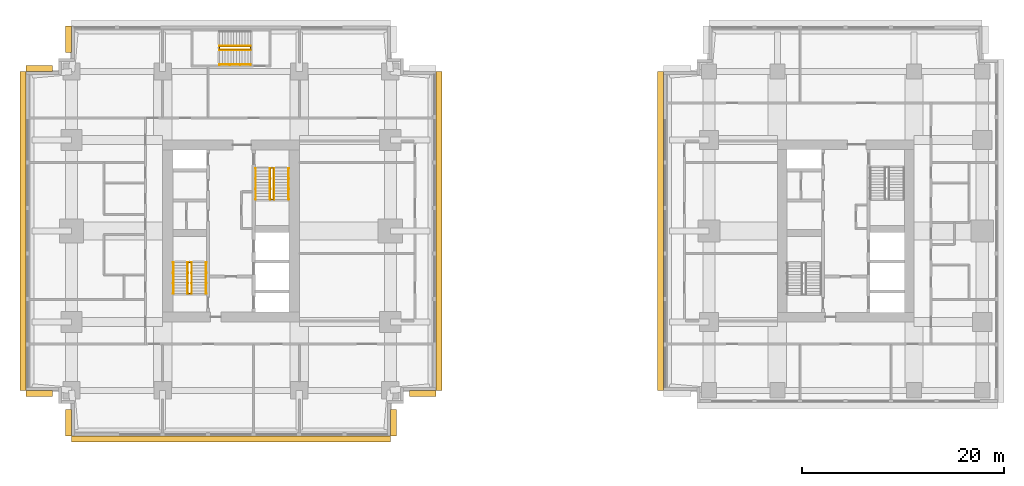
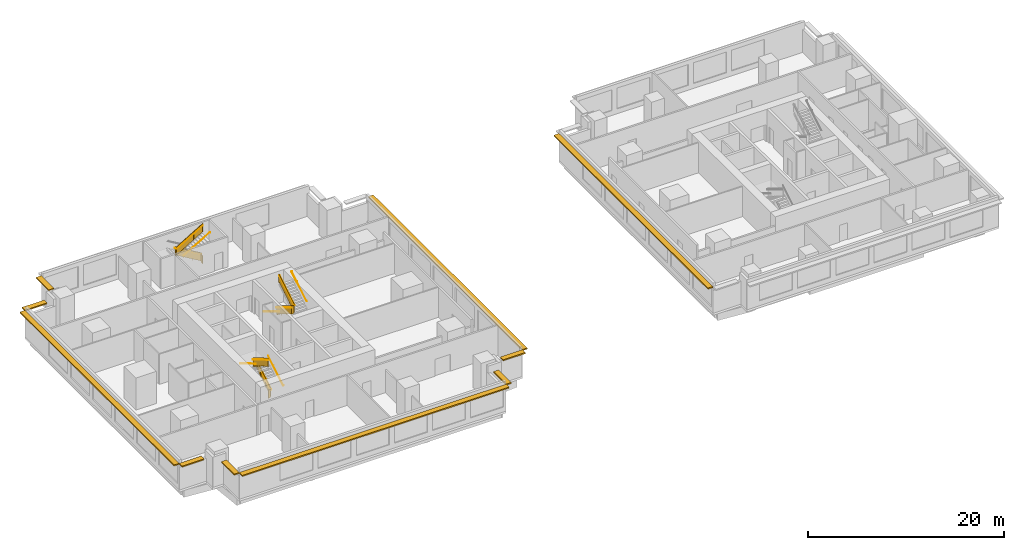
# One storey, part 9 of 10: 14 railings, 10 shading devices.
"""IFC4 building model written with IfcOpenShell, lengths in metres."""

from ifc_helpers import new_model, si_unit, direction, frame, origin, origin_2d, place, context, subcontext, project, spatial, polyline, rectangle, circle, outline, extrude, material, layer, layer_set, type_object, element, save


model = new_model("IFC4")

# Units and contexts
model_context = context("Model", 3, precision=1e-05, world=origin(), true_north=direction((0.0, 1.0)))
body_context = subcontext(model_context, "Body", "Model", "MODEL_VIEW")
ifc_project = project(units=[si_unit("LENGTHUNIT", "METRE"), si_unit("AREAUNIT", "SQUARE_METRE"), si_unit("VOLUMEUNIT", "CUBIC_METRE"), si_unit("PLANEANGLEUNIT", "RADIAN"), si_unit("MASSUNIT", "GRAM", prefix="KILO")], contexts=[model_context])

# Site, building, storey
site_placement = place(None, origin())
site = spatial("IfcSite", under=ifc_project, at=site_placement, CompositionType="ELEMENT")
building_placement = place(site_placement, origin())
building = spatial("IfcBuilding", under=site, at=building_placement, Name="Namib Vertical Campus", CompositionType="ELEMENT")
storey_placement = place(building_placement, frame((0.0, 0.0, 145.0)))
storey = spatial("IfcBuildingStorey", under=building, at=storey_placement, Name="L34", CompositionType="ELEMENT", Elevation=145.0)

# Railings
ifc_material_1 = material(Name="Steel handrail", Category="steel")
railing_type_1 = type_object("IfcRailingType", Name="Handrail 900", PredefinedType="HANDRAIL", material=ifc_material_1)
railing_1_placement = place(storey_placement, frame((17.800048828125, 14.050048828125, 0.166748046875)))
element("IfcRailing", 1, at=railing_1_placement, inside=storey, type_object=railing_type_1, Name="Handrail HR1 A-S1 L34 1", PredefinedType="HANDRAIL", context=body_context, shape_type="SweptSolid", body=[
    extrude(circle(Radius=0.02392578125, at=origin_2d()), frame((0.0, 0.0, 0.8759765625), z_axis=(0.0, 0.859290745958, 0.51148745235), x_axis=(-1.0, 0.0, 0.0)), (0.0, 0.0, 1.0), 3.584228515625),
    extrude(circle(Radius=0.008056640625, at=origin_2d()), frame((0.0, 0.0, 0.8759765625), z_axis=(1.0, 0.0, 0.0), x_axis=(0.0, 0.0, 1.0)), (0.0, 0.0, 1.0), 0.050048828125),
    extrude(circle(Radius=0.008056640625, at=origin_2d()), frame((0.0, 1.026611328125, 1.48681640625), z_axis=(1.0, 0.0, 0.0), x_axis=(0.0, 0.0, 1.0)), (0.0, 0.0, 1.0), 0.050048828125),
    extrude(circle(Radius=0.008056640625, at=origin_2d()), frame((0.0, 2.05322265625, 2.09814453125), z_axis=(1.0, 0.0, 0.0), x_axis=(0.0, 0.0, 1.0)), (0.0, 0.0, 1.0), 0.050048828125),
    extrude(circle(Radius=0.008056640625, at=origin_2d()), frame((0.0, 3.079833984375, 2.708984375), z_axis=(1.0, 0.0, 0.0), x_axis=(0.0, 0.0, 1.0)), (0.0, 0.0, 1.0), 0.050048828125),
])
railing_2_placement = place(storey_placement, frame((14.550048828125, 17.1298828125, 2.166748046875)))
element("IfcRailing", 2, at=railing_2_placement, inside=storey, type_object=railing_type_1, Name="Handrail HR1 A-S1 L34 2", PredefinedType="HANDRAIL", context=body_context, shape_type="SweptSolid", body=[
    extrude(circle(Radius=0.02392578125, at=origin_2d()), frame((0.0, 0.0, 0.8759765625), z_axis=(0.0, -0.859290745958, 0.51148745235), x_axis=(1.0, 0.0, 0.0)), (0.0, 0.0, 1.0), 3.584228515625),
    extrude(circle(Radius=0.008056640625, at=origin_2d()), frame((0.0, 0.0, 0.8759765625), z_axis=(-1.0, 0.0, 0.0), x_axis=(0.0, 0.0, 1.0)), (0.0, 0.0, 1.0), 0.050048828125),
    extrude(circle(Radius=0.008056640625, at=origin_2d()), frame((0.0, -1.026611328125, 1.48681640625), z_axis=(-1.0, 0.0, 0.0), x_axis=(0.0, 0.0, 1.0)), (0.0, 0.0, 1.0), 0.050048828125),
    extrude(circle(Radius=0.008056640625, at=origin_2d()), frame((0.0, -2.05322265625, 2.09814453125), z_axis=(-1.0, 0.0, 0.0), x_axis=(0.0, 0.0, 1.0)), (0.0, 0.0, 1.0), 0.050048828125),
    extrude(circle(Radius=0.008056640625, at=origin_2d()), frame((0.0, -3.079833984375, 2.708984375), z_axis=(-1.0, 0.0, 0.0), x_axis=(0.0, 0.0, 1.0)), (0.0, 0.0, 1.0), 0.050048828125),
])
railing_3_placement = place(storey_placement, frame((16.375, 14.050048828125, 0.166748046875)))
element("IfcRailing", 3, at=railing_3_placement, inside=storey, type_object=railing_type_1, Name="Handrail HR1 A-S1 L34 1 at the well", PredefinedType="HANDRAIL", context=body_context, shape_type="SweptSolid", body=[
    extrude(circle(Radius=0.02392578125, at=origin_2d()), frame((0.0, 0.0, 0.8759765625), z_axis=(0.0, 0.859290745958, 0.51148745235), x_axis=(-1.0, 0.0, 0.0)), (0.0, 0.0, 1.0), 3.584228515625),
    extrude(circle(Radius=0.008056640625, at=origin_2d()), frame((0.0, 0.0, 0.8759765625), z_axis=(-1.0, 0.0, 0.0), x_axis=(0.0, 0.0, 1.0)), (0.0, 0.0, 1.0), 0.0400390625),
    extrude(circle(Radius=0.008056640625, at=origin_2d()), frame((0.0, 1.026611328125, 1.48681640625), z_axis=(-1.0, 0.0, 0.0), x_axis=(0.0, 0.0, 1.0)), (0.0, 0.0, 1.0), 0.0400390625),
    extrude(circle(Radius=0.008056640625, at=origin_2d()), frame((0.0, 2.05322265625, 2.09814453125), z_axis=(-1.0, 0.0, 0.0), x_axis=(0.0, 0.0, 1.0)), (0.0, 0.0, 1.0), 0.0400390625),
    extrude(circle(Radius=0.008056640625, at=origin_2d()), frame((0.0, 3.079833984375, 2.708984375), z_axis=(-1.0, 0.0, 0.0), x_axis=(0.0, 0.0, 1.0)), (0.0, 0.0, 1.0), 0.0400390625),
])
railing_4_placement = place(storey_placement, frame((15.97509765625, 17.1298828125, 2.166748046875)))
element("IfcRailing", 4, at=railing_4_placement, inside=storey, type_object=railing_type_1, Name="Handrail HR1 A-S1 L34 2 at the well", PredefinedType="HANDRAIL", context=body_context, shape_type="SweptSolid", body=[
    extrude(circle(Radius=0.02392578125, at=origin_2d()), frame((0.0, 0.0, 0.8759765625), z_axis=(0.0, -0.859290745958, 0.51148745235), x_axis=(1.0, 0.0, 0.0)), (0.0, 0.0, 1.0), 3.584228515625),
    extrude(circle(Radius=0.008056640625, at=origin_2d()), frame((0.0, 0.0, 0.8759765625), z_axis=(1.0, 0.0, 0.0), x_axis=(0.0, 0.0, 1.0)), (0.0, 0.0, 1.0), 0.0400390625),
    extrude(circle(Radius=0.008056640625, at=origin_2d()), frame((0.0, -1.026611328125, 1.48681640625), z_axis=(1.0, 0.0, 0.0), x_axis=(0.0, 0.0, 1.0)), (0.0, 0.0, 1.0), 0.0400390625),
    extrude(circle(Radius=0.008056640625, at=origin_2d()), frame((0.0, -2.05322265625, 2.09814453125), z_axis=(1.0, 0.0, 0.0), x_axis=(0.0, 0.0, 1.0)), (0.0, 0.0, 1.0), 0.0400390625),
    extrude(circle(Radius=0.008056640625, at=origin_2d()), frame((0.0, -3.079833984375, 2.708984375), z_axis=(1.0, 0.0, 0.0), x_axis=(0.0, 0.0, 1.0)), (0.0, 0.0, 1.0), 0.0400390625),
])
railing_5_placement = place(storey_placement, frame((22.699951171875, 26.449951171875, 0.166748046875)))
element("IfcRailing", 5, at=railing_5_placement, inside=storey, type_object=railing_type_1, Name="Handrail HR1 A-S2 L34 1", PredefinedType="HANDRAIL", context=body_context, shape_type="SweptSolid", body=[
    extrude(circle(Radius=0.02392578125, at=origin_2d()), frame((0.0, 0.0, 0.8759765625), z_axis=(0.0, -0.859290745958, 0.51148745235), x_axis=(1.0, 0.0, 0.0)), (0.0, 0.0, 1.0), 3.584228515625),
    extrude(circle(Radius=0.008056640625, at=origin_2d()), frame((0.0, 0.0, 0.8759765625), z_axis=(-1.0, 0.0, 0.0), x_axis=(0.0, 0.0, 1.0)), (0.0, 0.0, 1.0), 0.050048828125),
    extrude(circle(Radius=0.008056640625, at=origin_2d()), frame((0.0, -1.026611328125, 1.48681640625), z_axis=(-1.0, 0.0, 0.0), x_axis=(0.0, 0.0, 1.0)), (0.0, 0.0, 1.0), 0.050048828125),
    extrude(circle(Radius=0.008056640625, at=origin_2d()), frame((0.0, -2.05322265625, 2.09814453125), z_axis=(-1.0, 0.0, 0.0), x_axis=(0.0, 0.0, 1.0)), (0.0, 0.0, 1.0), 0.050048828125),
    extrude(circle(Radius=0.008056640625, at=origin_2d()), frame((0.0, -3.079833984375, 2.708984375), z_axis=(-1.0, 0.0, 0.0), x_axis=(0.0, 0.0, 1.0)), (0.0, 0.0, 1.0), 0.050048828125),
])
railing_6_placement = place(storey_placement, frame((25.949951171875, 23.3701171875, 2.166748046875)))
element("IfcRailing", 6, at=railing_6_placement, inside=storey, type_object=railing_type_1, Name="Handrail HR1 A-S2 L34 2", PredefinedType="HANDRAIL", context=body_context, shape_type="SweptSolid", body=[
    extrude(circle(Radius=0.02392578125, at=origin_2d()), frame((0.0, 0.0, 0.8759765625), z_axis=(0.0, 0.859290745958, 0.51148745235), x_axis=(-1.0, 0.0, 0.0)), (0.0, 0.0, 1.0), 3.584228515625),
    extrude(circle(Radius=0.008056640625, at=origin_2d()), frame((0.0, 0.0, 0.8759765625), z_axis=(1.0, 0.0, 0.0), x_axis=(0.0, 0.0, 1.0)), (0.0, 0.0, 1.0), 0.050048828125),
    extrude(circle(Radius=0.008056640625, at=origin_2d()), frame((0.0, 1.026611328125, 1.48681640625), z_axis=(1.0, 0.0, 0.0), x_axis=(0.0, 0.0, 1.0)), (0.0, 0.0, 1.0), 0.050048828125),
    extrude(circle(Radius=0.008056640625, at=origin_2d()), frame((0.0, 2.05322265625, 2.09814453125), z_axis=(1.0, 0.0, 0.0), x_axis=(0.0, 0.0, 1.0)), (0.0, 0.0, 1.0), 0.050048828125),
    extrude(circle(Radius=0.008056640625, at=origin_2d()), frame((0.0, 3.079833984375, 2.708984375), z_axis=(1.0, 0.0, 0.0), x_axis=(0.0, 0.0, 1.0)), (0.0, 0.0, 1.0), 0.050048828125),
])
railing_7_placement = place(storey_placement, frame((24.125, 26.449951171875, 0.166748046875)))
element("IfcRailing", 7, at=railing_7_placement, inside=storey, type_object=railing_type_1, Name="Handrail HR1 A-S2 L34 1 at the well", PredefinedType="HANDRAIL", context=body_context, shape_type="SweptSolid", body=[
    extrude(circle(Radius=0.02392578125, at=origin_2d()), frame((0.0, 0.0, 0.8759765625), z_axis=(0.0, -0.859290745958, 0.51148745235), x_axis=(1.0, 0.0, 0.0)), (0.0, 0.0, 1.0), 3.584228515625),
    extrude(circle(Radius=0.008056640625, at=origin_2d()), frame((0.0, 0.0, 0.8759765625), z_axis=(1.0, 0.0, 0.0), x_axis=(0.0, 0.0, 1.0)), (0.0, 0.0, 1.0), 0.0400390625),
    extrude(circle(Radius=0.008056640625, at=origin_2d()), frame((0.0, -1.026611328125, 1.48681640625), z_axis=(1.0, 0.0, 0.0), x_axis=(0.0, 0.0, 1.0)), (0.0, 0.0, 1.0), 0.0400390625),
    extrude(circle(Radius=0.008056640625, at=origin_2d()), frame((0.0, -2.05322265625, 2.09814453125), z_axis=(1.0, 0.0, 0.0), x_axis=(0.0, 0.0, 1.0)), (0.0, 0.0, 1.0), 0.0400390625),
    extrude(circle(Radius=0.008056640625, at=origin_2d()), frame((0.0, -3.079833984375, 2.708984375), z_axis=(1.0, 0.0, 0.0), x_axis=(0.0, 0.0, 1.0)), (0.0, 0.0, 1.0), 0.0400390625),
])
railing_8_placement = place(storey_placement, frame((24.52490234375, 23.3701171875, 2.166748046875)))
element("IfcRailing", 8, at=railing_8_placement, inside=storey, type_object=railing_type_1, Name="Handrail HR1 A-S2 L34 2 at the well", PredefinedType="HANDRAIL", context=body_context, shape_type="SweptSolid", body=[
    extrude(circle(Radius=0.02392578125, at=origin_2d()), frame((0.0, 0.0, 0.8759765625), z_axis=(0.0, 0.859290745958, 0.51148745235), x_axis=(-1.0, 0.0, 0.0)), (0.0, 0.0, 1.0), 3.584228515625),
    extrude(circle(Radius=0.008056640625, at=origin_2d()), frame((0.0, 0.0, 0.8759765625), z_axis=(-1.0, 0.0, 0.0), x_axis=(0.0, 0.0, 1.0)), (0.0, 0.0, 1.0), 0.0400390625),
    extrude(circle(Radius=0.008056640625, at=origin_2d()), frame((0.0, 1.026611328125, 1.48681640625), z_axis=(-1.0, 0.0, 0.0), x_axis=(0.0, 0.0, 1.0)), (0.0, 0.0, 1.0), 0.0400390625),
    extrude(circle(Radius=0.008056640625, at=origin_2d()), frame((0.0, 2.05322265625, 2.09814453125), z_axis=(-1.0, 0.0, 0.0), x_axis=(0.0, 0.0, 1.0)), (0.0, 0.0, 1.0), 0.0400390625),
    extrude(circle(Radius=0.008056640625, at=origin_2d()), frame((0.0, 3.079833984375, 2.708984375), z_axis=(-1.0, 0.0, 0.0), x_axis=(0.0, 0.0, 1.0)), (0.0, 0.0, 1.0), 0.0400390625),
])
railing_9_placement = place(storey_placement, frame((19.1201171875, 36.699951171875, 2.166748046875)))
element("IfcRailing", 9, at=railing_9_placement, inside=storey, type_object=railing_type_1, Name="Handrail HR1 A-S3 L34 2", PredefinedType="HANDRAIL", context=body_context, shape_type="SweptSolid", body=[
    extrude(circle(Radius=0.02392578125, at=origin_2d()), frame((0.0, 0.0, 0.8759765625), z_axis=(0.859290745958, 0.0, 0.51148745235), x_axis=(0.0, 1.0, 0.0)), (0.0, 0.0, 1.0), 3.584228515625),
    extrude(circle(Radius=0.008056640625, at=origin_2d()), frame((0.0, 0.0, 0.8759765625), z_axis=(0.0, -1.0, 0.0), x_axis=(0.0, 0.0, 1.0)), (0.0, 0.0, 1.0), 0.050048828125),
    extrude(circle(Radius=0.008056640625, at=origin_2d()), frame((1.026611328125, 0.0, 1.48681640625), z_axis=(0.0, -1.0, 0.0), x_axis=(0.0, 0.0, 1.0)), (0.0, 0.0, 1.0), 0.050048828125),
    extrude(circle(Radius=0.008056640625, at=origin_2d()), frame((2.05322265625, 0.0, 2.09814453125), z_axis=(0.0, -1.0, 0.0), x_axis=(0.0, 0.0, 1.0)), (0.0, 0.0, 1.0), 0.050048828125),
    extrude(circle(Radius=0.008056640625, at=origin_2d()), frame((3.079833984375, 0.0, 2.708984375), z_axis=(0.0, -1.0, 0.0), x_axis=(0.0, 0.0, 1.0)), (0.0, 0.0, 1.0), 0.050048828125),
])
railing_10_placement = place(storey_placement, frame((22.199951171875, 38.52490234375, 0.166748046875)))
element("IfcRailing", 10, at=railing_10_placement, inside=storey, type_object=railing_type_1, Name="Handrail HR1 A-S3 L34 1 at the well", PredefinedType="HANDRAIL", context=body_context, shape_type="SweptSolid", body=[
    extrude(circle(Radius=0.02392578125, at=origin_2d()), frame((0.0, 0.0, 0.8759765625), z_axis=(-0.859290745958, 0.0, 0.51148745235), x_axis=(0.0, -1.0, 0.0)), (0.0, 0.0, 1.0), 3.584228515625),
    extrude(circle(Radius=0.008056640625, at=origin_2d()), frame((0.0, 0.0, 0.8759765625), z_axis=(0.0, -1.0, 0.0), x_axis=(0.0, 0.0, 1.0)), (0.0, 0.0, 1.0), 0.0400390625),
    extrude(circle(Radius=0.008056640625, at=origin_2d()), frame((-1.026611328125, 0.0, 1.48681640625), z_axis=(0.0, -1.0, 0.0), x_axis=(0.0, 0.0, 1.0)), (0.0, 0.0, 1.0), 0.0400390625),
    extrude(circle(Radius=0.008056640625, at=origin_2d()), frame((-2.05322265625, 0.0, 2.09814453125), z_axis=(0.0, -1.0, 0.0), x_axis=(0.0, 0.0, 1.0)), (0.0, 0.0, 1.0), 0.0400390625),
    extrude(circle(Radius=0.008056640625, at=origin_2d()), frame((-3.079833984375, 0.0, 2.708984375), z_axis=(0.0, -1.0, 0.0), x_axis=(0.0, 0.0, 1.0)), (0.0, 0.0, 1.0), 0.0400390625),
])
railing_11_placement = place(storey_placement, frame((19.1201171875, 38.125, 2.166748046875)))
element("IfcRailing", 11, at=railing_11_placement, inside=storey, type_object=railing_type_1, Name="Handrail HR1 A-S3 L34 2 at the well", PredefinedType="HANDRAIL", context=body_context, shape_type="SweptSolid", body=[
    extrude(circle(Radius=0.02392578125, at=origin_2d()), frame((0.0, 0.0, 0.8759765625), z_axis=(0.859290745958, 0.0, 0.51148745235), x_axis=(0.0, 1.0, 0.0)), (0.0, 0.0, 1.0), 3.584228515625),
    extrude(circle(Radius=0.008056640625, at=origin_2d()), frame((0.0, 0.0, 0.8759765625), z_axis=(0.0, 1.0, 0.0), x_axis=(0.0, 0.0, 1.0)), (0.0, 0.0, 1.0), 0.0400390625),
    extrude(circle(Radius=0.008056640625, at=origin_2d()), frame((1.026611328125, 0.0, 1.48681640625), z_axis=(0.0, 1.0, 0.0), x_axis=(0.0, 0.0, 1.0)), (0.0, 0.0, 1.0), 0.0400390625),
    extrude(circle(Radius=0.008056640625, at=origin_2d()), frame((2.05322265625, 0.0, 2.09814453125), z_axis=(0.0, 1.0, 0.0), x_axis=(0.0, 0.0, 1.0)), (0.0, 0.0, 1.0), 0.0400390625),
    extrude(circle(Radius=0.008056640625, at=origin_2d()), frame((3.079833984375, 0.0, 2.708984375), z_axis=(0.0, 1.0, 0.0), x_axis=(0.0, 0.0, 1.0)), (0.0, 0.0, 1.0), 0.0400390625),
])
ifc_material_2 = material(Name="Steel balustrade", Category="steel")
railing_type_2 = type_object("IfcRailingType", Name="Stair guard 1100", PredefinedType="GUARDRAIL", material=ifc_material_2)
railing_12_placement = place(storey_placement, frame((16.02490234375, 14.050048828125, 0.0)))
element("IfcRailing", 12, at=railing_12_placement, inside=storey, type_object=railing_type_2, Name="Stair guard GR1 A-S1 L34", PredefinedType="GUARDRAIL", context=body_context, shape_type="SweptSolid", body=[
    extrude(circle(Radius=0.02392578125, at=origin_2d()), frame((0.0, 0.0, 1.076171875), z_axis=(1.0, 0.0, 0.0), x_axis=(0.0, 1.0, 0.0)), (0.0, 0.0, 1.0), 0.300048828125),
    extrude(outline(polyline([(0.02099609375, 0.050048828125), (0.279052734375, 0.050048828125), (0.279052734375, 1.052001953125), (0.02099609375, 1.052001953125), (0.02099609375, 0.050048828125)])), frame((0.0, 0.010009765625, 0.0), z_axis=(0.0, -1.0, 0.0), x_axis=(1.0, 0.0, 0.0)), (0.0, 0.0, 1.0), 0.02001953125),
    extrude(circle(Radius=0.02392578125, at=origin_2d()), frame((0.300048828125, 0.0, 1.076171875), z_axis=(0.0, 0.0, 1.0), x_axis=(1.0, 0.0, 0.0)), (0.0, 0.0, 1.0), 0.166748046875),
    extrude(circle(Radius=0.02392578125, at=origin_2d()), frame((0.300048828125, 0.0, 1.24267578125), z_axis=(0.0, 0.859290745958, 0.51148745235), x_axis=(-1.0, 0.0, 0.0)), (0.0, 0.0, 1.0), 3.584228515625),
    extrude(outline(polyline([(0.02099609375, 0.0625), (3.058837890625, 1.870849609375), (3.058837890625, 2.872802734375), (0.02099609375, 1.064453125), (0.02099609375, 0.0625)])), frame((0.2900390625, 0.0, 0.166748046875), z_axis=(1.0, 0.0, 0.0), x_axis=(0.0, 1.0, 0.0)), (0.0, 0.0, 1.0), 0.02001953125),
    extrude(circle(Radius=0.02392578125, at=origin_2d()), frame((0.300048828125, 3.079833984375, 3.076171875), z_axis=(-1.0, 0.0, 0.0), x_axis=(0.0, -1.0, 0.0)), (0.0, 0.0, 1.0), 0.300048828125),
    extrude(outline(polyline([(0.02099609375, 0.050048828125), (0.279052734375, 0.050048828125), (0.279052734375, 1.052001953125), (0.02099609375, 1.052001953125), (0.02099609375, 0.050048828125)])), frame((0.300048828125, 3.06982421875, 2.0), z_axis=(0.0, 1.0, 0.0), x_axis=(-1.0, 0.0, 0.0)), (0.0, 0.0, 1.0), 0.02001953125),
    extrude(circle(Radius=0.02392578125, at=origin_2d()), frame((0.0, 3.079833984375, 3.076171875), z_axis=(0.0, 0.0, 1.0), x_axis=(1.0, 0.0, 0.0)), (0.0, 0.0, 1.0), 0.166748046875),
    extrude(circle(Radius=0.02392578125, at=origin_2d()), frame((0.0, 3.079833984375, 3.24267578125), z_axis=(0.0, -0.859290745958, 0.51148745235), x_axis=(1.0, 0.0, 0.0)), (0.0, 0.0, 1.0), 3.584228515625),
    extrude(outline(polyline([(0.02099609375, 0.0625), (3.058837890625, 1.870849609375), (3.058837890625, 2.872802734375), (0.02099609375, 1.064453125), (0.02099609375, 0.0625)])), frame((0.010009765625, 3.079833984375, 2.166748046875), z_axis=(-1.0, 0.0, 0.0), x_axis=(0.0, -1.0, 0.0)), (0.0, 0.0, 1.0), 0.02001953125),
    extrude(circle(Radius=0.02392578125, at=origin_2d()), frame((0.0, 0.0, 5.076171875), z_axis=(0.0, -1.0, 0.0), x_axis=(1.0, 0.0, 0.0)), (0.0, 0.0, 1.0), 0.050048828125),
    extrude(outline(polyline([(0.02099609375, 0.050048828125), (0.029052734375, 0.050048828125), (0.029052734375, 1.052001953125), (0.02099609375, 1.052001953125), (0.02099609375, 0.050048828125)])), frame((0.010009765625, 0.0, 4.0), z_axis=(-1.0, 0.0, 0.0), x_axis=(0.0, -1.0, 0.0)), (0.0, 0.0, 1.0), 0.02001953125),
    extrude(circle(Radius=0.02099609375, at=origin_2d()), origin(), (0.0, 0.0, 1.0), 1.052001953125),
    extrude(circle(Radius=0.02099609375, at=origin_2d()), frame((0.300048828125, 0.0, 0.166748046875)), (0.0, 0.0, 1.0), 1.052001953125),
    extrude(circle(Radius=0.02099609375, at=origin_2d()), frame((0.300048828125, 1.026611328125, 0.666748046875)), (0.0, 0.0, 1.0), 1.1630859375),
    extrude(circle(Radius=0.02099609375, at=origin_2d()), frame((0.300048828125, 2.05322265625, 1.33349609375)), (0.0, 0.0, 1.0), 1.107421875),
    extrude(circle(Radius=0.02099609375, at=origin_2d()), frame((0.300048828125, 3.079833984375, 2.0)), (0.0, 0.0, 1.0), 1.052001953125),
    extrude(circle(Radius=0.02099609375, at=origin_2d()), frame((0.0, 3.079833984375, 2.166748046875)), (0.0, 0.0, 1.0), 1.052001953125),
    extrude(circle(Radius=0.02099609375, at=origin_2d()), frame((0.0, 2.05322265625, 2.666748046875)), (0.0, 0.0, 1.0), 1.1630859375),
    extrude(circle(Radius=0.02099609375, at=origin_2d()), frame((0.0, 1.026611328125, 3.33349609375)), (0.0, 0.0, 1.0), 1.107421875),
    extrude(circle(Radius=0.02099609375, at=origin_2d()), frame((0.0, 0.0, 4.0)), (0.0, 0.0, 1.0), 1.052001953125),
    extrude(circle(Radius=0.02099609375, at=origin_2d()), frame((0.0, -0.050048828125, 4.0)), (0.0, 0.0, 1.0), 1.052001953125),
])
railing_13_placement = place(storey_placement, frame((24.47509765625, 26.449951171875, 0.0)))
element("IfcRailing", 13, at=railing_13_placement, inside=storey, type_object=railing_type_2, Name="Stair guard GR1 A-S2 L34", PredefinedType="GUARDRAIL", context=body_context, shape_type="SweptSolid", body=[
    extrude(circle(Radius=0.02392578125, at=origin_2d()), frame((0.0, 0.0, 1.076171875), z_axis=(-1.0, 0.0, 0.0), x_axis=(0.0, -1.0, 0.0)), (0.0, 0.0, 1.0), 0.300048828125),
    extrude(outline(polyline([(0.02099609375, 0.050048828125), (0.279052734375, 0.050048828125), (0.279052734375, 1.052001953125), (0.02099609375, 1.052001953125), (0.02099609375, 0.050048828125)])), frame((0.0, -0.010009765625, 0.0), z_axis=(0.0, 1.0, 0.0), x_axis=(-1.0, 0.0, 0.0)), (0.0, 0.0, 1.0), 0.02001953125),
    extrude(circle(Radius=0.02392578125, at=origin_2d()), frame((-0.300048828125, 0.0, 1.076171875), z_axis=(0.0, 0.0, 1.0), x_axis=(1.0, 0.0, 0.0)), (0.0, 0.0, 1.0), 0.166748046875),
    extrude(circle(Radius=0.02392578125, at=origin_2d()), frame((-0.300048828125, 0.0, 1.24267578125), z_axis=(0.0, -0.859290745958, 0.51148745235), x_axis=(1.0, 0.0, 0.0)), (0.0, 0.0, 1.0), 3.584228515625),
    extrude(outline(polyline([(0.02099609375, 0.0625), (3.058837890625, 1.870849609375), (3.058837890625, 2.872802734375), (0.02099609375, 1.064453125), (0.02099609375, 0.0625)])), frame((-0.2900390625, 0.0, 0.166748046875), z_axis=(-1.0, 0.0, 0.0), x_axis=(0.0, -1.0, 0.0)), (0.0, 0.0, 1.0), 0.02001953125),
    extrude(circle(Radius=0.02392578125, at=origin_2d()), frame((-0.300048828125, -3.079833984375, 3.076171875), z_axis=(1.0, 0.0, 0.0), x_axis=(0.0, 1.0, 0.0)), (0.0, 0.0, 1.0), 0.300048828125),
    extrude(outline(polyline([(0.02099609375, 0.050048828125), (0.279052734375, 0.050048828125), (0.279052734375, 1.052001953125), (0.02099609375, 1.052001953125), (0.02099609375, 0.050048828125)])), frame((-0.300048828125, -3.06982421875, 2.0), z_axis=(0.0, -1.0, 0.0), x_axis=(1.0, 0.0, 0.0)), (0.0, 0.0, 1.0), 0.02001953125),
    extrude(circle(Radius=0.02392578125, at=origin_2d()), frame((0.0, -3.079833984375, 3.076171875), z_axis=(0.0, 0.0, 1.0), x_axis=(1.0, 0.0, 0.0)), (0.0, 0.0, 1.0), 0.166748046875),
    extrude(circle(Radius=0.02392578125, at=origin_2d()), frame((0.0, -3.079833984375, 3.24267578125), z_axis=(0.0, 0.859290745958, 0.51148745235), x_axis=(-1.0, 0.0, 0.0)), (0.0, 0.0, 1.0), 3.584228515625),
    extrude(outline(polyline([(0.02099609375, 0.0625), (3.058837890625, 1.870849609375), (3.058837890625, 2.872802734375), (0.02099609375, 1.064453125), (0.02099609375, 0.0625)])), frame((-0.010009765625, -3.079833984375, 2.166748046875), z_axis=(1.0, 0.0, 0.0), x_axis=(0.0, 1.0, 0.0)), (0.0, 0.0, 1.0), 0.02001953125),
    extrude(circle(Radius=0.02392578125, at=origin_2d()), frame((0.0, 0.0, 5.076171875), z_axis=(0.0, 1.0, 0.0), x_axis=(-1.0, 0.0, 0.0)), (0.0, 0.0, 1.0), 0.050048828125),
    extrude(outline(polyline([(0.02099609375, 0.050048828125), (0.029052734375, 0.050048828125), (0.029052734375, 1.052001953125), (0.02099609375, 1.052001953125), (0.02099609375, 0.050048828125)])), frame((-0.010009765625, 0.0, 4.0), z_axis=(1.0, 0.0, 0.0), x_axis=(0.0, 1.0, 0.0)), (0.0, 0.0, 1.0), 0.02001953125),
    extrude(circle(Radius=0.02099609375, at=origin_2d()), origin(), (0.0, 0.0, 1.0), 1.052001953125),
    extrude(circle(Radius=0.02099609375, at=origin_2d()), frame((-0.300048828125, 0.0, 0.166748046875)), (0.0, 0.0, 1.0), 1.052001953125),
    extrude(circle(Radius=0.02099609375, at=origin_2d()), frame((-0.300048828125, -1.026611328125, 0.666748046875)), (0.0, 0.0, 1.0), 1.1630859375),
    extrude(circle(Radius=0.02099609375, at=origin_2d()), frame((-0.300048828125, -2.05322265625, 1.33349609375)), (0.0, 0.0, 1.0), 1.107421875),
    extrude(circle(Radius=0.02099609375, at=origin_2d()), frame((-0.300048828125, -3.079833984375, 2.0)), (0.0, 0.0, 1.0), 1.052001953125),
    extrude(circle(Radius=0.02099609375, at=origin_2d()), frame((0.0, -3.079833984375, 2.166748046875)), (0.0, 0.0, 1.0), 1.052001953125),
    extrude(circle(Radius=0.02099609375, at=origin_2d()), frame((0.0, -2.05322265625, 2.666748046875)), (0.0, 0.0, 1.0), 1.1630859375),
    extrude(circle(Radius=0.02099609375, at=origin_2d()), frame((0.0, -1.026611328125, 3.33349609375)), (0.0, 0.0, 1.0), 1.107421875),
    extrude(circle(Radius=0.02099609375, at=origin_2d()), frame((0.0, 0.0, 4.0)), (0.0, 0.0, 1.0), 1.052001953125),
    extrude(circle(Radius=0.02099609375, at=origin_2d()), frame((0.0, 0.050048828125, 4.0)), (0.0, 0.0, 1.0), 1.052001953125),
])
railing_14_placement = place(storey_placement, frame((22.199951171875, 38.175048828125, 0.0)))
element("IfcRailing", 14, at=railing_14_placement, inside=storey, type_object=railing_type_2, Name="Stair guard GR1 A-S3 L34", PredefinedType="GUARDRAIL", context=body_context, shape_type="SweptSolid", body=[
    extrude(circle(Radius=0.02392578125, at=origin_2d()), frame((0.0, 0.0, 1.076171875), z_axis=(0.0, 1.0, 0.0), x_axis=(-1.0, 0.0, 0.0)), (0.0, 0.0, 1.0), 0.300048828125),
    extrude(outline(polyline([(0.02099609375, 0.050048828125), (0.279052734375, 0.050048828125), (0.279052734375, 1.052001953125), (0.02099609375, 1.052001953125), (0.02099609375, 0.050048828125)])), frame((-0.010009765625, 0.0, 0.0), z_axis=(1.0, 0.0, 0.0), x_axis=(0.0, 1.0, 0.0)), (0.0, 0.0, 1.0), 0.02001953125),
    extrude(circle(Radius=0.02392578125, at=origin_2d()), frame((0.0, 0.300048828125, 1.076171875), z_axis=(0.0, 0.0, 1.0), x_axis=(1.0, 0.0, 0.0)), (0.0, 0.0, 1.0), 0.166748046875),
    extrude(circle(Radius=0.02392578125, at=origin_2d()), frame((0.0, 0.300048828125, 1.24267578125), z_axis=(-0.859290745958, 0.0, 0.51148745235), x_axis=(0.0, -1.0, 0.0)), (0.0, 0.0, 1.0), 3.584228515625),
    extrude(outline(polyline([(0.02099609375, 0.0625), (3.058837890625, 1.870849609375), (3.058837890625, 2.872802734375), (0.02099609375, 1.064453125), (0.02099609375, 0.0625)])), frame((0.0, 0.2900390625, 0.166748046875), z_axis=(0.0, 1.0, 0.0), x_axis=(-1.0, 0.0, 0.0)), (0.0, 0.0, 1.0), 0.02001953125),
    extrude(circle(Radius=0.02392578125, at=origin_2d()), frame((-3.079833984375, 0.300048828125, 3.076171875), z_axis=(0.0, -1.0, 0.0), x_axis=(1.0, 0.0, 0.0)), (0.0, 0.0, 1.0), 0.300048828125),
    extrude(outline(polyline([(0.02099609375, 0.050048828125), (0.279052734375, 0.050048828125), (0.279052734375, 1.052001953125), (0.02099609375, 1.052001953125), (0.02099609375, 0.050048828125)])), frame((-3.06982421875, 0.300048828125, 2.0), z_axis=(-1.0, 0.0, 0.0), x_axis=(0.0, -1.0, 0.0)), (0.0, 0.0, 1.0), 0.02001953125),
    extrude(circle(Radius=0.02392578125, at=origin_2d()), frame((-3.079833984375, 0.0, 3.076171875), z_axis=(0.0, 0.0, 1.0), x_axis=(1.0, 0.0, 0.0)), (0.0, 0.0, 1.0), 0.166748046875),
    extrude(circle(Radius=0.02392578125, at=origin_2d()), frame((-3.079833984375, 0.0, 3.24267578125), z_axis=(0.859290745958, 0.0, 0.51148745235), x_axis=(0.0, 1.0, 0.0)), (0.0, 0.0, 1.0), 3.584228515625),
    extrude(outline(polyline([(0.02099609375, 0.0625), (3.058837890625, 1.870849609375), (3.058837890625, 2.872802734375), (0.02099609375, 1.064453125), (0.02099609375, 0.0625)])), frame((-3.079833984375, 0.010009765625, 2.166748046875), z_axis=(0.0, -1.0, 0.0), x_axis=(1.0, 0.0, 0.0)), (0.0, 0.0, 1.0), 0.02001953125),
    extrude(circle(Radius=0.02392578125, at=origin_2d()), frame((0.0, 0.0, 5.076171875), z_axis=(1.0, 0.0, 0.0), x_axis=(0.0, 1.0, 0.0)), (0.0, 0.0, 1.0), 0.050048828125),
    extrude(outline(polyline([(0.02099609375, 0.050048828125), (0.029052734375, 0.050048828125), (0.029052734375, 1.052001953125), (0.02099609375, 1.052001953125), (0.02099609375, 0.050048828125)])), frame((0.0, 0.010009765625, 4.0), z_axis=(0.0, -1.0, 0.0), x_axis=(1.0, 0.0, 0.0)), (0.0, 0.0, 1.0), 0.02001953125),
    extrude(circle(Radius=0.02099609375, at=origin_2d()), origin(), (0.0, 0.0, 1.0), 1.052001953125),
    extrude(circle(Radius=0.02099609375, at=origin_2d()), frame((0.0, 0.300048828125, 0.166748046875)), (0.0, 0.0, 1.0), 1.052001953125),
    extrude(circle(Radius=0.02099609375, at=origin_2d()), frame((-1.026611328125, 0.300048828125, 0.666748046875)), (0.0, 0.0, 1.0), 1.1630859375),
    extrude(circle(Radius=0.02099609375, at=origin_2d()), frame((-2.05322265625, 0.300048828125, 1.33349609375)), (0.0, 0.0, 1.0), 1.107421875),
    extrude(circle(Radius=0.02099609375, at=origin_2d()), frame((-3.079833984375, 0.300048828125, 2.0)), (0.0, 0.0, 1.0), 1.052001953125),
    extrude(circle(Radius=0.02099609375, at=origin_2d()), frame((-3.079833984375, 0.0, 2.166748046875)), (0.0, 0.0, 1.0), 1.052001953125),
    extrude(circle(Radius=0.02099609375, at=origin_2d()), frame((-2.05322265625, 0.0, 2.666748046875)), (0.0, 0.0, 1.0), 1.1630859375),
    extrude(circle(Radius=0.02099609375, at=origin_2d()), frame((-1.026611328125, 0.0, 3.33349609375)), (0.0, 0.0, 1.0), 1.107421875),
    extrude(circle(Radius=0.02099609375, at=origin_2d()), frame((0.0, 0.0, 4.0)), (0.0, 0.0, 1.0), 1.052001953125),
    extrude(circle(Radius=0.02099609375, at=origin_2d()), frame((0.050048828125, 0.0, 4.0)), (0.0, 0.0, 1.0), 1.052001953125),
])

# Shading devices
ifc_material_3 = material(Name="Concrete C40/50 precast", Category="concrete")
ifc_layer = layer(ifc_material_3, 0.14990234375)
ifc_layer_set = layer_set([ifc_layer], Name="Concrete C40/50 precast")
shading_device_type = type_object("IfcShadingDeviceType", Name="Sunshade hood 600", PredefinedType="SHUTTER", material=ifc_layer_set)
shading_device_1_placement = place(storey_placement, frame((20.25, -0.300048828125, 3.199951171875), z_axis=(0.0, 0.0, 1.0), x_axis=(1.0, 0.0, 0.0)))
element("IfcShadingDevice", 15, at=shading_device_1_placement, inside=storey, type_object=shading_device_type, Name="Sunshade SH3 L34 1", PredefinedType="SHUTTER", context=body_context, shape_type="SweptSolid", body=[
    extrude(rectangle(XDim=31.5, YDim=0.60009765625, at=origin_2d()), origin(), (0.0, 0.0, 1.0), 0.14990234375),
])
for number, where, z_axis, x_axis, name in (
    (16, (36.300048828125, 1.300048828125, 3.199951171875), (0.0, 0.0, 1.0), (0.0, 1.0, 0.0), "Sunshade SH3 L34 2"),
    (17, (39.199951171875, 4.199951171875, 3.199951171875), (0.0, 0.0, 1.0), (1.0, 0.0, 0.0), "Sunshade SH3 L34 5"),
):
    element("IfcShadingDevice", number, at=place(storey_placement, frame(where, z_axis=z_axis, x_axis=x_axis)), inside=storey, type_object=shading_device_type, Name=name, PredefinedType="SHUTTER", context=body_context, shape_type="SweptSolid", body=[
        extrude(rectangle(XDim=2.60009765625, YDim=0.60009765625, at=origin_2d()), origin(), (0.0, 0.0, 1.0), 0.14990234375),
    ])
shading_device_2_placement = place(storey_placement, frame((40.800048828125, 20.25, 3.199951171875), z_axis=(0.0, 0.0, 1.0), x_axis=(0.0, 1.0, 0.0)))
element("IfcShadingDevice", 18, at=shading_device_2_placement, inside=storey, type_object=shading_device_type, Name="Sunshade SH3 L34 6", PredefinedType="SHUTTER", context=body_context, shape_type="SweptSolid", body=[
    extrude(rectangle(XDim=31.5, YDim=0.60009765625, at=origin_2d()), origin(), (0.0, 0.0, 1.0), 0.14990234375),
])
for number, where, z_axis, x_axis, name in (
    (19, (4.199951171875, 39.199951171875, 3.199951171875), (0.0, 0.0, 1.0), (0.0, -1.0, 0.0), "Sunshade SH3 L34 12"),
    (20, (1.300048828125, 36.300048828125, 3.199951171875), (0.0, 0.0, 1.0), (-1.0, 0.0, 0.0), "Sunshade SH3 L34 15"),
):
    element("IfcShadingDevice", number, at=place(storey_placement, frame(where, z_axis=z_axis, x_axis=x_axis)), inside=storey, type_object=shading_device_type, Name=name, PredefinedType="SHUTTER", context=body_context, shape_type="SweptSolid", body=[
        extrude(rectangle(XDim=2.60009765625, YDim=0.60009765625, at=origin_2d()), origin(), (0.0, 0.0, 1.0), 0.14990234375),
    ])
shading_device_3_placement = place(storey_placement, frame((-0.300048828125, 20.25, 3.199951171875), z_axis=(0.0, 0.0, 1.0), x_axis=(0.0, -1.0, 0.0)))
element("IfcShadingDevice", 21, at=shading_device_3_placement, inside=storey, type_object=shading_device_type, Name="Sunshade SH3 L34 16", PredefinedType="SHUTTER", context=body_context, shape_type="SweptSolid", body=[
    extrude(rectangle(XDim=31.5, YDim=0.60009765625, at=origin_2d()), origin(), (0.0, 0.0, 1.0), 0.14990234375),
])
for number, where, z_axis, x_axis, name in (
    (22, (1.300048828125, 4.199951171875, 3.199951171875), (0.0, 0.0, 1.0), (1.0, 0.0, 0.0), "Sunshade SH3 L34 17"),
    (23, (4.199951171875, 1.300048828125, 3.199951171875), (0.0, 0.0, 1.0), (0.0, -1.0, 0.0), "Sunshade SH3 L34 20"),
):
    element("IfcShadingDevice", number, at=place(storey_placement, frame(where, z_axis=z_axis, x_axis=x_axis)), inside=storey, type_object=shading_device_type, Name=name, PredefinedType="SHUTTER", context=body_context, shape_type="SweptSolid", body=[
        extrude(rectangle(XDim=2.60009765625, YDim=0.60009765625, at=origin_2d()), origin(), (0.0, 0.0, 1.0), 0.14990234375),
    ])
shading_device_4_placement = place(storey_placement, frame((62.699951171875, 20.25, 3.199951171875), z_axis=(0.0, 0.0, 1.0), x_axis=(0.0, -1.0, 0.0)))
element("IfcShadingDevice", 24, at=shading_device_4_placement, inside=storey, type_object=shading_device_type, Name="Sunshade SH3 L34 12", PredefinedType="SHUTTER", context=body_context, shape_type="SweptSolid", body=[
    extrude(rectangle(XDim=31.5, YDim=0.60009765625, at=origin_2d()), origin(), (0.0, 0.0, 1.0), 0.14990234375),
])

save(model, "model.ifc")
